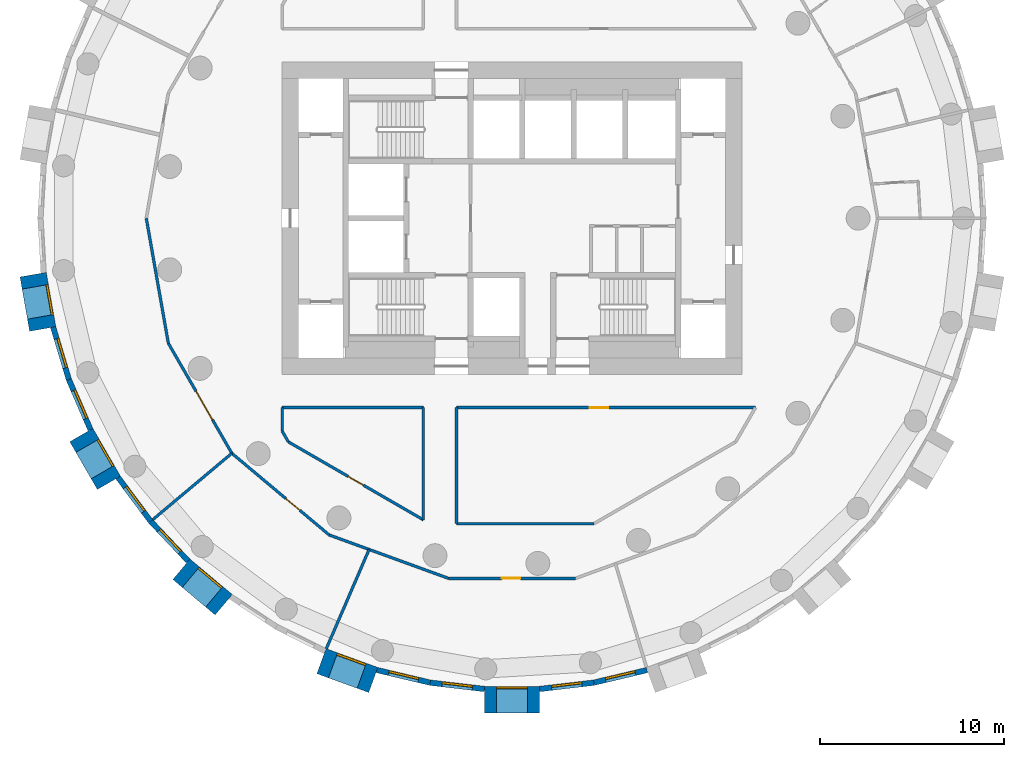
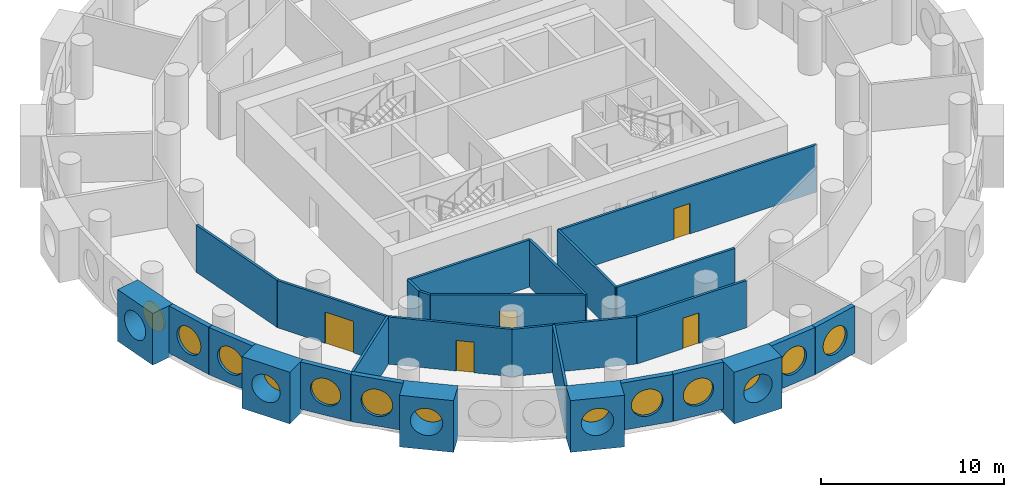
# One storey, part 2 of 9: 28 walls, 13 windows, 5 doors, 18 openings.
"""IFC4 building model written with IfcOpenShell, lengths in metres."""

from ifc_helpers import new_model, si_unit, direction, frame, frame_2d, origin, origin_2d, place, context, subcontext, project, spatial, rectangle, circle, extrude, material, layer, layer_set, type_object, element, fill, save


model = new_model("IFC4")

# Units and contexts
model_context = context("Model", 3, precision=1e-05, world=origin(), true_north=direction((0.0, 1.0)))
body_context = subcontext(model_context, "Body", "Model", "MODEL_VIEW")
ifc_project = project(units=[si_unit("LENGTHUNIT", "METRE"), si_unit("AREAUNIT", "SQUARE_METRE"), si_unit("VOLUMEUNIT", "CUBIC_METRE"), si_unit("PLANEANGLEUNIT", "RADIAN"), si_unit("MASSUNIT", "GRAM", prefix="KILO")], contexts=[model_context])

# Site, building, storey
site_placement = place(None, origin())
site = spatial("IfcSite", under=ifc_project, at=site_placement, CompositionType="ELEMENT")
building_placement = place(site_placement, origin())
building = spatial("IfcBuilding", under=site, at=building_placement, Name="Tracery Tower", CompositionType="ELEMENT")
storey_placement = place(building_placement, frame((0.0, 0.0, 216.0)))
storey = spatial("IfcBuildingStorey", under=building, at=storey_placement, Name="L56", CompositionType="ELEMENT", Elevation=216.0)

# Wall, opening, window
ifc_material_1 = material(Name="Precast concrete C50/60", Category="concrete")
ifc_layer_1 = layer(ifc_material_1, 1.449951171875)
ifc_layer_set_1 = layer_set([ifc_layer_1], Name="Deep-set bay unit 3000 x 3450, slab edge 300")
wall_type_1 = type_object("IfcWallType", Name="Deep-set bay unit 3000 x 3450, slab edge 300", PredefinedType="ELEMENTEDWALL", material=ifc_layer_set_1)
wall_1_placement = place(storey_placement, frame((-26.041748046875, -3.06884765625, -0.300048828125), z_axis=(0.0, 0.0, 1.0), x_axis=(0.173669267716, -0.984804034035, 0.0)))
wall_1 = element("IfcWall", 1, at=wall_1_placement, inside=storey, type_object=wall_type_1, Name="Deep-set bay unit 29 at L56", PredefinedType="ELEMENTEDWALL", context=body_context, shape_type="SweptSolid", body=[
    extrude(rectangle(XDim=3.0, YDim=1.449951171875, at=frame_2d((1.5, 0.0))), origin(), (0.0, 0.0, 1.0), 3.449951171875),
])
opening_1_placement = place(wall_1_placement, frame((1.5, 0.0, 1.85009765625)))
opening_1 = element("IfcOpeningElement", 2, at=opening_1_placement, cuts=wall_1, Name="Opening WN1", PredefinedType="OPENING", context=body_context, shape_type="SweptSolid", body=[
    extrude(circle(Radius=0.9000244140625, at=origin_2d()), frame((0.0, 0.73486328125, 0.0), z_axis=(0.0, -1.0, 0.0), x_axis=(1.0, 0.0, 0.0)), (0.0, 0.0, 1.0), 1.469970703125),
])
ifc_material_2 = material(Name="Aluminium frame with tinted double glazing", Category="aluminium")
window_type = type_object("IfcWindowType", Name="Round window 1800", PartitioningType="SINGLE_PANEL", PredefinedType="WINDOW", material=ifc_material_2)
window_1_placement = place(opening_1_placement, origin())
window_1 = element("IfcWindow", 3, at=window_1_placement, inside=storey, type_object=window_type, Name="Round window 29 at L56", OverallHeight=1.800048828125, OverallWidth=1.800048828125, PartitioningType="SINGLE_PANEL", PredefinedType="WINDOW", context=body_context, shape_type="SweptSolid", body=[
    extrude(circle(Radius=0.9000244140625, at=origin_2d()), frame((0.0, 0.69482421875, 0.0), z_axis=(0.0, -1.0, 0.0), x_axis=(1.0, 0.0, 0.0)), (0.0, 0.0, 1.0), 0.10009765625),
])
fill(opening_1, window_1)

wall_2_placement = place(storey_placement, frame((-23.421630859375, -11.79052734375, -0.300048828125), z_axis=(0.0, 0.0, 1.0), x_axis=(0.499990139034, -0.866031096941, 0.0)))
wall_2 = element("IfcWall", 4, at=wall_2_placement, inside=storey, type_object=wall_type_1, Name="Deep-set bay unit 32 at L56", PredefinedType="ELEMENTEDWALL", context=body_context, shape_type="SweptSolid", body=[
    extrude(rectangle(XDim=3.0, YDim=1.449951171875, at=frame_2d((1.5, 0.0))), origin(), (0.0, 0.0, 1.0), 3.449951171875),
])
opening_2_placement = place(wall_2_placement, frame((1.5, 0.0, 1.85009765625)))
opening_2 = element("IfcOpeningElement", 5, at=opening_2_placement, cuts=wall_2, Name="Opening WN1", PredefinedType="OPENING", context=body_context, shape_type="SweptSolid", body=[
    extrude(circle(Radius=0.9000244140625, at=origin_2d()), frame((0.0, 0.73486328125, 0.0), z_axis=(0.0, -1.0, 0.0), x_axis=(1.0, 0.0, 0.0)), (0.0, 0.0, 1.0), 1.469970703125),
])
window_2_placement = place(opening_2_placement, origin())
window_2 = element("IfcWindow", 6, at=window_2_placement, inside=storey, type_object=window_type, Name="Round window 32 at L56", OverallHeight=1.800048828125, OverallWidth=1.800048828125, PartitioningType="SINGLE_PANEL", PredefinedType="WINDOW", context=body_context, shape_type="SweptSolid", body=[
    extrude(circle(Radius=0.9000244140625, at=origin_2d()), frame((0.0, 0.69482421875, 0.0), z_axis=(0.0, -1.0, 0.0), x_axis=(1.0, 0.0, 0.0)), (0.0, 0.0, 1.0), 0.10009765625),
])
fill(opening_2, window_2)

wall_3_placement = place(storey_placement, frame((-17.9765625, -19.090087890625, -0.300048828125), z_axis=(0.0, 0.0, 1.0), x_axis=(0.766022196139, -0.642814121673, 0.0)))
wall_3 = element("IfcWall", 7, at=wall_3_placement, inside=storey, type_object=wall_type_1, Name="Deep-set bay unit 35 at L56", PredefinedType="ELEMENTEDWALL", context=body_context, shape_type="SweptSolid", body=[
    extrude(rectangle(XDim=3.0, YDim=1.449951171875, at=frame_2d((1.5, 0.0))), origin(), (0.0, 0.0, 1.0), 3.449951171875),
])
opening_3_placement = place(wall_3_placement, frame((1.5, 0.0, 1.85009765625)))
opening_3 = element("IfcOpeningElement", 8, at=opening_3_placement, cuts=wall_3, Name="Opening WN1", PredefinedType="OPENING", context=body_context, shape_type="SweptSolid", body=[
    extrude(circle(Radius=0.9000244140625, at=origin_2d()), frame((0.0, 0.73486328125, 0.0), z_axis=(0.0, -1.0, 0.0), x_axis=(1.0, 0.0, 0.0)), (0.0, 0.0, 1.0), 1.469970703125),
])
window_3_placement = place(opening_3_placement, origin())
window_3 = element("IfcWindow", 9, at=window_3_placement, inside=storey, type_object=window_type, Name="Round window 35 at L56", OverallHeight=1.800048828125, OverallWidth=1.800048828125, PartitioningType="SINGLE_PANEL", PredefinedType="WINDOW", context=body_context, shape_type="SweptSolid", body=[
    extrude(circle(Radius=0.9000244140625, at=origin_2d()), frame((0.0, 0.69482421875, 0.0), z_axis=(0.0, -1.0, 0.0), x_axis=(1.0, 0.0, 0.0)), (0.0, 0.0, 1.0), 0.10009765625),
])
fill(opening_3, window_3)

wall_4_placement = place(storey_placement, frame((-10.36328125, -24.087158203125, -0.300048828125), z_axis=(0.0, 0.0, 1.0), x_axis=(0.939686455819, -0.342037080957, 0.0)))
wall_4 = element("IfcWall", 10, at=wall_4_placement, inside=storey, type_object=wall_type_1, Name="Deep-set bay unit 38 at L56", PredefinedType="ELEMENTEDWALL", context=body_context, shape_type="SweptSolid", body=[
    extrude(rectangle(XDim=3.0, YDim=1.449951171875, at=frame_2d((1.5, 0.0))), origin(), (0.0, 0.0, 1.0), 3.449951171875),
])
opening_4_placement = place(wall_4_placement, frame((1.5, 0.0, 1.85009765625)))
opening_4 = element("IfcOpeningElement", 11, at=opening_4_placement, cuts=wall_4, Name="Opening WN1", PredefinedType="OPENING", context=body_context, shape_type="SweptSolid", body=[
    extrude(circle(Radius=0.9000244140625, at=origin_2d()), frame((0.0, 0.73486328125, 0.0), z_axis=(0.0, -1.0, 0.0), x_axis=(1.0, 0.0, 0.0)), (0.0, 0.0, 1.0), 1.469970703125),
])
window_4_placement = place(opening_4_placement, origin())
window_4 = element("IfcWindow", 12, at=window_4_placement, inside=storey, type_object=window_type, Name="Round window 38 at L56", OverallHeight=1.800048828125, OverallWidth=1.800048828125, PartitioningType="SINGLE_PANEL", PredefinedType="WINDOW", context=body_context, shape_type="SweptSolid", body=[
    extrude(circle(Radius=0.9000244140625, at=origin_2d()), frame((0.0, 0.69482421875, 0.0), z_axis=(0.0, -1.0, 0.0), x_axis=(1.0, 0.0, 0.0)), (0.0, 0.0, 1.0), 0.10009765625),
])
fill(opening_4, window_4)

wall_5_placement = place(storey_placement, frame((-1.5, -26.178955078125, -0.300048828125), z_axis=(0.0, 0.0, 1.0), x_axis=(1.0, 0.0, 0.0)))
wall_5 = element("IfcWall", 13, at=wall_5_placement, inside=storey, type_object=wall_type_1, Name="Deep-set bay unit 41 at L56", PredefinedType="ELEMENTEDWALL", context=body_context, shape_type="SweptSolid", body=[
    extrude(rectangle(XDim=3.0, YDim=1.449951171875, at=frame_2d((1.5, 0.0))), origin(), (0.0, 0.0, 1.0), 3.449951171875),
])
opening_5_placement = place(wall_5_placement, frame((1.5, 0.0, 1.85009765625)))
opening_5 = element("IfcOpeningElement", 14, at=opening_5_placement, cuts=wall_5, Name="Opening WN1", PredefinedType="OPENING", context=body_context, shape_type="SweptSolid", body=[
    extrude(circle(Radius=0.9000244140625, at=origin_2d()), frame((0.0, 0.73486328125, 0.0), z_axis=(0.0, -1.0, 0.0), x_axis=(1.0, 0.0, 0.0)), (0.0, 0.0, 1.0), 1.469970703125),
])
window_5_placement = place(opening_5_placement, origin())
window_5 = element("IfcWindow", 15, at=window_5_placement, inside=storey, type_object=window_type, Name="Round window 41 at L56", OverallHeight=1.800048828125, OverallWidth=1.800048828125, PartitioningType="SINGLE_PANEL", PredefinedType="WINDOW", context=body_context, shape_type="SweptSolid", body=[
    extrude(circle(Radius=0.9000244140625, at=origin_2d()), frame((0.0, 0.69482421875, 0.0), z_axis=(0.0, -1.0, 0.0), x_axis=(1.0, 0.0, 0.0)), (0.0, 0.0, 1.0), 0.10009765625),
])
fill(opening_5, window_5)

ifc_material_3 = material(Name="Precast concrete C50/60", Category="concrete")
ifc_layer_2 = layer(ifc_material_3, 0.300048828125)
ifc_layer_set_2 = layer_set([ifc_layer_2], Name="Facade panel 3000 x 3150")
wall_type_2 = type_object("IfcWallType", Name="Facade panel 3000 x 3150", PredefinedType="SOLIDWALL", material=ifc_layer_set_2)
wall_6_placement = place(storey_placement, frame((-24.953369140625, -5.924072265625, 0.0), z_axis=(0.0, 0.0, 1.0), x_axis=(0.286782750849, -0.957995643944, 0.0)))
wall_6 = element("IfcWall", 16, at=wall_6_placement, inside=storey, type_object=wall_type_2, Name="Facade panel 30 at L56", PredefinedType="SOLIDWALL", context=body_context, shape_type="SweptSolid", body=[
    extrude(rectangle(XDim=2.97265625, YDim=0.300048828125, at=frame_2d((1.486328125, 0.0))), origin(), (0.0, 0.0, 1.0), 3.14990234375),
])
opening_6_placement = place(wall_6_placement, frame((1.486328125, 0.0, 1.5498046875)))
opening_6 = element("IfcOpeningElement", 17, at=opening_6_placement, cuts=wall_6, Name="Opening WN1", PredefinedType="OPENING", context=body_context, shape_type="SweptSolid", body=[
    extrude(circle(Radius=0.9000244140625, at=origin_2d()), frame((0.0, 0.159912109375, 0.0), z_axis=(0.0, -1.0, 0.0), x_axis=(1.0, 0.0, 0.0)), (0.0, 0.0, 1.0), 0.320068359375),
])
window_6_placement = place(opening_6_placement, origin())
window_6 = element("IfcWindow", 18, at=window_6_placement, inside=storey, type_object=window_type, Name="Round window 30 at L56", OverallHeight=1.800048828125, OverallWidth=1.800048828125, PartitioningType="SINGLE_PANEL", PredefinedType="WINDOW", context=body_context, shape_type="SweptSolid", body=[
    extrude(circle(Radius=0.9000244140625, at=origin_2d()), frame((0.0, 0.1201171875, 0.0), z_axis=(0.0, -1.0, 0.0), x_axis=(1.0, 0.0, 0.0)), (0.0, 0.0, 1.0), 0.10009765625),
])
fill(opening_6, window_6)

wall_7_placement = place(storey_placement, frame((-24.100830078125, -8.77197265625, 0.0), z_axis=(0.0, 0.0, 1.0), x_axis=(0.396148129016, -0.918186614952, 0.0)))
wall_7 = element("IfcWall", 19, at=wall_7_placement, inside=storey, type_object=wall_type_2, Name="Facade panel 31 at L56", PredefinedType="SOLIDWALL", context=body_context, shape_type="SweptSolid", body=[
    extrude(rectangle(XDim=2.972900390625, YDim=0.300048828125, at=frame_2d((1.486328125, 0.0))), origin(), (0.0, 0.0, 1.0), 3.14990234375),
])
opening_7_placement = place(wall_7_placement, frame((1.486328125, 0.0, 1.5498046875)))
opening_7 = element("IfcOpeningElement", 20, at=opening_7_placement, cuts=wall_7, Name="Opening WN1", PredefinedType="OPENING", context=body_context, shape_type="SweptSolid", body=[
    extrude(circle(Radius=0.9000244140625, at=origin_2d()), frame((0.0, 0.159912109375, 0.0), z_axis=(0.0, -1.0, 0.0), x_axis=(1.0, 0.0, 0.0)), (0.0, 0.0, 1.0), 0.320068359375),
])
window_7_placement = place(opening_7_placement, origin())
window_7 = element("IfcWindow", 21, at=window_7_placement, inside=storey, type_object=window_type, Name="Round window 31 at L56", OverallHeight=1.800048828125, OverallWidth=1.800048828125, PartitioningType="SINGLE_PANEL", PredefinedType="WINDOW", context=body_context, shape_type="SweptSolid", body=[
    extrude(circle(Radius=0.9000244140625, at=origin_2d()), frame((0.0, 0.1201171875, 0.0), z_axis=(0.0, -1.0, 0.0), x_axis=(1.0, 0.0, 0.0)), (0.0, 0.0, 1.0), 0.10009765625),
])
fill(opening_7, window_7)

wall_8_placement = place(storey_placement, frame((-21.42236328125, -14.101318359375, 0.0), z_axis=(0.0, 0.0, 1.0), x_axis=(0.597197580538, -0.80209416517, 0.0)))
wall_8 = element("IfcWall", 22, at=wall_8_placement, inside=storey, type_object=wall_type_2, Name="Facade panel 33 at L56", PredefinedType="SOLIDWALL", context=body_context, shape_type="SweptSolid", body=[
    extrude(rectangle(XDim=2.972900390625, YDim=0.300048828125, at=frame_2d((1.486328125, 0.0))), origin(), (0.0, 0.0, 1.0), 3.14990234375),
])
opening_8_placement = place(wall_8_placement, frame((1.486328125, 0.0, 1.5498046875)))
opening_8 = element("IfcOpeningElement", 23, at=opening_8_placement, cuts=wall_8, Name="Opening WN1", PredefinedType="OPENING", context=body_context, shape_type="SweptSolid", body=[
    extrude(circle(Radius=0.9000244140625, at=origin_2d()), frame((0.0, 0.159912109375, 0.0), z_axis=(0.0, -1.0, 0.0), x_axis=(1.0, 0.0, 0.0)), (0.0, 0.0, 1.0), 0.320068359375),
])
window_8_placement = place(opening_8_placement, origin())
window_8 = element("IfcWindow", 24, at=window_8_placement, inside=storey, type_object=window_type, Name="Round window 33 at L56", OverallHeight=1.800048828125, OverallWidth=1.800048828125, PartitioningType="SINGLE_PANEL", PredefinedType="WINDOW", context=body_context, shape_type="SweptSolid", body=[
    extrude(circle(Radius=0.9000244140625, at=origin_2d()), frame((0.0, 0.1201171875, 0.0), z_axis=(0.0, -1.0, 0.0), x_axis=(1.0, 0.0, 0.0)), (0.0, 0.0, 1.0), 0.10009765625),
])
fill(opening_8, window_8)

wall_9_placement = place(storey_placement, frame((-19.64697265625, -16.48583984375, 0.0), z_axis=(0.0, 0.0, 1.0), x_axis=(0.686235184166, -0.727379730273, 0.0)))
wall_9 = element("IfcWall", 25, at=wall_9_placement, inside=storey, type_object=wall_type_2, Name="Facade panel 34 at L56", PredefinedType="SOLIDWALL", context=body_context, shape_type="SweptSolid", body=[
    extrude(rectangle(XDim=2.972900390625, YDim=0.300048828125, at=frame_2d((1.486328125, 0.0))), origin(), (0.0, 0.0, 1.0), 3.14990234375),
])
opening_9_placement = place(wall_9_placement, frame((1.486328125, 0.0, 1.5498046875)))
opening_9 = element("IfcOpeningElement", 26, at=opening_9_placement, cuts=wall_9, Name="Opening WN1", PredefinedType="OPENING", context=body_context, shape_type="SweptSolid", body=[
    extrude(circle(Radius=0.9000244140625, at=origin_2d()), frame((0.0, 0.159912109375, 0.0), z_axis=(0.0, -1.0, 0.0), x_axis=(1.0, 0.0, 0.0)), (0.0, 0.0, 1.0), 0.320068359375),
])
window_9_placement = place(opening_9_placement, origin())
window_9 = element("IfcWindow", 27, at=window_9_placement, inside=storey, type_object=window_type, Name="Round window 34 at L56", OverallHeight=1.800048828125, OverallWidth=1.800048828125, PartitioningType="SINGLE_PANEL", PredefinedType="WINDOW", context=body_context, shape_type="SweptSolid", body=[
    extrude(circle(Radius=0.9000244140625, at=origin_2d()), frame((0.0, 0.1201171875, 0.0), z_axis=(0.0, -1.0, 0.0), x_axis=(1.0, 0.0, 0.0)), (0.0, 0.0, 1.0), 0.10009765625),
])
fill(opening_9, window_9)

wall_10_placement = place(storey_placement, frame((-7.346435546875, -24.572265625, 0.0), z_axis=(0.0, 0.0, 1.0), x_axis=(0.973049746156, -0.230595298102, 0.0)))
wall_10 = element("IfcWall", 28, at=wall_10_placement, inside=storey, type_object=wall_type_2, Name="Facade panel 39 at L56", PredefinedType="SOLIDWALL", context=body_context, shape_type="SweptSolid", body=[
    extrude(rectangle(XDim=2.972900390625, YDim=0.300048828125, at=frame_2d((1.486328125, 0.0))), origin(), (0.0, 0.0, 1.0), 3.14990234375),
])
opening_10_placement = place(wall_10_placement, frame((1.486328125, 0.0, 1.5498046875)))
opening_10 = element("IfcOpeningElement", 29, at=opening_10_placement, cuts=wall_10, Name="Opening WN1", PredefinedType="OPENING", context=body_context, shape_type="SweptSolid", body=[
    extrude(circle(Radius=0.9000244140625, at=origin_2d()), frame((0.0, 0.159912109375, 0.0), z_axis=(0.0, -1.0, 0.0), x_axis=(1.0, 0.0, 0.0)), (0.0, 0.0, 1.0), 0.320068359375),
])
window_10_placement = place(opening_10_placement, origin())
window_10 = element("IfcWindow", 30, at=window_10_placement, inside=storey, type_object=window_type, Name="Round window 39 at L56", OverallHeight=1.800048828125, OverallWidth=1.800048828125, PartitioningType="SINGLE_PANEL", PredefinedType="WINDOW", context=body_context, shape_type="SweptSolid", body=[
    extrude(circle(Radius=0.9000244140625, at=origin_2d()), frame((0.0, 0.1201171875, 0.0), z_axis=(0.0, -1.0, 0.0), x_axis=(1.0, 0.0, 0.0)), (0.0, 0.0, 1.0), 0.10009765625),
])
fill(opening_10, window_10)

wall_11_placement = place(storey_placement, frame((-4.45361328125, -25.2578125, 0.0), z_axis=(0.0, 0.0, 1.0), x_axis=(0.993235542767, -0.116116995244, 0.0)))
wall_11 = element("IfcWall", 31, at=wall_11_placement, inside=storey, type_object=wall_type_2, Name="Facade panel 40 at L56", PredefinedType="SOLIDWALL", context=body_context, shape_type="SweptSolid", body=[
    extrude(rectangle(XDim=2.972900390625, YDim=0.300048828125, at=frame_2d((1.486328125, 0.0))), origin(), (0.0, 0.0, 1.0), 3.14990234375),
])
opening_11_placement = place(wall_11_placement, frame((1.486328125, 0.0, 1.5498046875)))
opening_11 = element("IfcOpeningElement", 32, at=opening_11_placement, cuts=wall_11, Name="Opening WN1", PredefinedType="OPENING", context=body_context, shape_type="SweptSolid", body=[
    extrude(circle(Radius=0.9000244140625, at=origin_2d()), frame((0.0, 0.159912109375, 0.0), z_axis=(0.0, -1.0, 0.0), x_axis=(1.0, 0.0, 0.0)), (0.0, 0.0, 1.0), 0.320068359375),
])
window_11_placement = place(opening_11_placement, origin())
window_11 = element("IfcWindow", 33, at=window_11_placement, inside=storey, type_object=window_type, Name="Round window 40 at L56", OverallHeight=1.800048828125, OverallWidth=1.800048828125, PartitioningType="SINGLE_PANEL", PredefinedType="WINDOW", context=body_context, shape_type="SweptSolid", body=[
    extrude(circle(Radius=0.9000244140625, at=origin_2d()), frame((0.0, 0.1201171875, 0.0), z_axis=(0.0, -1.0, 0.0), x_axis=(1.0, 0.0, 0.0)), (0.0, 0.0, 1.0), 0.10009765625),
])
fill(opening_11, window_11)

wall_12_placement = place(storey_placement, frame((1.500732421875, -25.60302734375, 0.0), z_axis=(0.0, 0.0, 1.0), x_axis=(0.993235542767, 0.116116995244, 0.0)))
wall_12 = element("IfcWall", 34, at=wall_12_placement, inside=storey, type_object=wall_type_2, Name="Facade panel 42 at L56", PredefinedType="SOLIDWALL", context=body_context, shape_type="SweptSolid", body=[
    extrude(rectangle(XDim=2.972900390625, YDim=0.300048828125, at=frame_2d((1.486328125, 0.0))), origin(), (0.0, 0.0, 1.0), 3.14990234375),
])
opening_12_placement = place(wall_12_placement, frame((1.486328125, 0.0, 1.5498046875)))
opening_12 = element("IfcOpeningElement", 35, at=opening_12_placement, cuts=wall_12, Name="Opening WN1", PredefinedType="OPENING", context=body_context, shape_type="SweptSolid", body=[
    extrude(circle(Radius=0.9000244140625, at=origin_2d()), frame((0.0, 0.159912109375, 0.0), z_axis=(0.0, -1.0, 0.0), x_axis=(1.0, 0.0, 0.0)), (0.0, 0.0, 1.0), 0.320068359375),
])
window_12_placement = place(opening_12_placement, origin())
window_12 = element("IfcWindow", 36, at=window_12_placement, inside=storey, type_object=window_type, Name="Round window 42 at L56", OverallHeight=1.800048828125, OverallWidth=1.800048828125, PartitioningType="SINGLE_PANEL", PredefinedType="WINDOW", context=body_context, shape_type="SweptSolid", body=[
    extrude(circle(Radius=0.9000244140625, at=origin_2d()), frame((0.0, 0.1201171875, 0.0), z_axis=(0.0, -1.0, 0.0), x_axis=(1.0, 0.0, 0.0)), (0.0, 0.0, 1.0), 0.10009765625),
])
fill(opening_12, window_12)

wall_13_placement = place(storey_placement, frame((4.45361328125, -25.2578125, 0.0), z_axis=(0.0, 0.0, 1.0), x_axis=(0.973049746156, 0.230595298102, 0.0)))
wall_13 = element("IfcWall", 37, at=wall_13_placement, inside=storey, type_object=wall_type_2, Name="Facade panel 43 at L56", PredefinedType="SOLIDWALL", context=body_context, shape_type="SweptSolid", body=[
    extrude(rectangle(XDim=2.972900390625, YDim=0.300048828125, at=frame_2d((1.486328125, 0.0))), origin(), (0.0, 0.0, 1.0), 3.14990234375),
])
opening_13_placement = place(wall_13_placement, frame((1.486328125, 0.0, 1.5498046875)))
opening_13 = element("IfcOpeningElement", 38, at=opening_13_placement, cuts=wall_13, Name="Opening WN1", PredefinedType="OPENING", context=body_context, shape_type="SweptSolid", body=[
    extrude(circle(Radius=0.9000244140625, at=origin_2d()), frame((0.0, 0.159912109375, 0.0), z_axis=(0.0, -1.0, 0.0), x_axis=(1.0, 0.0, 0.0)), (0.0, 0.0, 1.0), 0.320068359375),
])
window_13_placement = place(opening_13_placement, origin())
window_13 = element("IfcWindow", 39, at=window_13_placement, inside=storey, type_object=window_type, Name="Round window 43 at L56", OverallHeight=1.800048828125, OverallWidth=1.800048828125, PartitioningType="SINGLE_PANEL", PredefinedType="WINDOW", context=body_context, shape_type="SweptSolid", body=[
    extrude(circle(Radius=0.9000244140625, at=origin_2d()), frame((0.0, 0.1201171875, 0.0), z_axis=(0.0, -1.0, 0.0), x_axis=(1.0, 0.0, 0.0)), (0.0, 0.0, 1.0), 0.10009765625),
])
fill(opening_13, window_13)

# Walls
ifc_material_4 = material(Name="Plasterboard on steel studs", Category="steel")
ifc_layer_3 = layer(ifc_material_4, 0.14990234375)
ifc_layer_set_3 = layer_set([ifc_layer_3], Name="Partition 150 acoustic unit wall")
wall_type_3 = type_object("IfcWallType", Name="Partition 150 acoustic unit wall", PredefinedType="PARTITIONING", material=ifc_layer_set_3)
wall_14_placement = place(storey_placement, frame((-19.531982421875, -16.388916015625, 0.0), z_axis=(0.0, 0.0, 1.0), x_axis=(0.76609059793, 0.642732600514, 0.0)))
element("IfcWall", 40, at=wall_14_placement, inside=storey, type_object=wall_type_3, Name="Unit wall RB9-066", PredefinedType="PARTITIONING", context=body_context, shape_type="SweptSolid", body=[
    extrude(rectangle(XDim=5.60888671875, YDim=0.14990234375, at=frame_2d((2.804443359375, 0.0))), origin(), (0.0, 0.0, 1.0), 3.14990234375),
])
wall_15_placement = place(storey_placement, frame((-10.09912109375, -23.412109375, 0.0), z_axis=(0.0, 0.0, 1.0), x_axis=(0.39601833725, 0.918242602236, 0.0)))
element("IfcWall", 41, at=wall_15_placement, inside=storey, type_object=wall_type_3, Name="Unit wall RB9-067", PredefinedType="PARTITIONING", context=body_context, shape_type="SweptSolid", body=[
    extrude(rectangle(XDim=5.87890625, YDim=0.14990234375, at=frame_2d((2.939453125, 0.0))), origin(), (0.0, 0.0, 1.0), 3.14990234375),
])
ifc_material_5 = material(Name="Plasterboard on steel studs", Category="steel")
ifc_layer_4 = layer(ifc_material_5, 0.14990234375)
ifc_layer_set_4 = layer_set([ifc_layer_4], Name="Partition 150 corridor wall")
wall_type_4 = type_object("IfcWallType", Name="Partition 150 corridor wall", PredefinedType="PARTITIONING", material=ifc_layer_set_4)
wall_16_placement = place(storey_placement, frame((-12.50390625, -10.300048828125, 0.0), z_axis=(0.0, 0.0, 1.0), x_axis=(1.0, 0.0, 0.0)))
element("IfcWall", 42, at=wall_16_placement, inside=storey, type_object=wall_type_4, Name="Corridor wall RB9-003", PredefinedType="PARTITIONING", context=body_context, shape_type="SweptSolid", body=[
    extrude(rectangle(XDim=7.68701171875, YDim=0.14990234375, at=frame_2d((3.843505859375, 0.0))), origin(), (0.0, 0.0, 1.0), 3.14990234375),
])

# Wall, opening, door
wall_17_placement = place(storey_placement, frame((-3.02490234375, -10.300048828125, 0.0), z_axis=(0.0, 0.0, 1.0), x_axis=(1.0, 0.0, 0.0)))
wall_17 = element("IfcWall", 43, at=wall_17_placement, inside=storey, type_object=wall_type_4, Name="Corridor wall RB9-004", PredefinedType="PARTITIONING", context=body_context, shape_type="SweptSolid", body=[
    extrude(rectangle(XDim=16.261962890625, YDim=0.14990234375, at=frame_2d((8.130859375, 0.0))), origin(), (0.0, 0.0, 1.0), 3.14990234375),
])
opening_14_placement = place(wall_17_placement, frame((7.261962890625, 0.0, 0.0)))
opening_14 = element("IfcOpeningElement", 44, at=opening_14_placement, cuts=wall_17, Name="Opening RB9-04", PredefinedType="OPENING", context=body_context, shape_type="SweptSolid", body=[
    extrude(rectangle(XDim=1.0, YDim=2.0400390625, at=frame_2d((0.5, 1.02001953125))), frame((0.0, 0.074951171875, 0.0), z_axis=(0.0, -1.0, 0.0), x_axis=(1.0, 0.0, 0.0)), (0.0, 0.0, 1.0), 0.14990234375),
])
ifc_material_6 = material(Name="Timber door leaf", Category="wood")
door_type_1 = type_object("IfcDoorType", Name="Door communal room 1000", OperationType="NOTDEFINED", PredefinedType="DOOR", material=ifc_material_6)
door_1_placement = place(opening_14_placement, origin())
door_1 = element("IfcDoor", 45, at=door_1_placement, inside=storey, type_object=door_type_1, Name="Communal room door RB9-04", OperationType="SINGLE_SWING_RIGHT", OverallHeight=2.0400390625, OverallWidth=1.0, PredefinedType="DOOR", context=body_context, shape_type="SweptSolid", body=[
    extrude(rectangle(XDim=1.0, YDim=2.0400390625, at=frame_2d((0.5, 1.02001953125))), frame((0.0, 0.02490234375, 0.0), z_axis=(0.0, -1.0, 0.0), x_axis=(1.0, 0.0, 0.0)), (0.0, 0.0, 1.0), 0.050048828125),
])
fill(opening_14, door_1)

# Walls
wall_18_placement = place(storey_placement, frame((-12.5, -11.576904296875, 0.0), z_axis=(0.0, 0.0, 1.0), x_axis=(0.0, 1.0, 0.0)))
element("IfcWall", 46, at=wall_18_placement, inside=storey, type_object=wall_type_4, Name="Corridor wall RB9-024", PredefinedType="PARTITIONING", context=body_context, shape_type="SweptSolid", body=[
    extrude(rectangle(XDim=1.27685546875, YDim=0.14990234375, at=frame_2d((0.638427734375, 0.0))), origin(), (0.0, 0.0, 1.0), 3.14990234375),
])
wall_19_placement = place(storey_placement, frame((-12.5, -11.576904296875, 0.0), z_axis=(0.0, 0.0, 1.0), x_axis=(0.500024767483, -0.866011103799, 0.0)))
element("IfcWall", 47, at=wall_19_placement, inside=storey, type_object=wall_type_4, Name="Corridor wall RB9-025", PredefinedType="PARTITIONING", context=body_context, shape_type="SweptSolid", body=[
    extrude(rectangle(XDim=0.67578125, YDim=0.14990234375, at=frame_2d((0.337890625, 0.0))), origin(), (0.0, 0.0, 1.0), 3.14990234375),
])

# Wall, opening, door
wall_20_placement = place(storey_placement, frame((-18.68798828125, -6.802001953125, 0.0), z_axis=(0.0, 0.0, 1.0), x_axis=(0.499914202267, -0.866074933462, 0.0)))
wall_20 = element("IfcWall", 48, at=wall_20_placement, inside=storey, type_object=wall_type_4, Name="Corridor wall RB9-028", PredefinedType="PARTITIONING", context=body_context, shape_type="SweptSolid", body=[
    extrude(rectangle(XDim=6.906982421875, YDim=0.14990234375, at=frame_2d((3.45361328125, 0.0))), origin(), (0.0, 0.0, 1.0), 3.14990234375),
])
opening_15_placement = place(wall_20_placement, frame((3.003173828125, 0.0, 0.0)))
opening_15 = element("IfcOpeningElement", 49, at=opening_15_placement, cuts=wall_20, Name="Opening RB9-21", PredefinedType="OPENING", context=body_context, shape_type="SweptSolid", body=[
    extrude(rectangle(XDim=1.800048828125, YDim=2.10009765625, at=frame_2d((0.89990234375, 1.050048828125))), frame((0.0, 0.074951171875, 0.0), z_axis=(0.0, -1.0, 0.0), x_axis=(1.0, 0.0, 0.0)), (0.0, 0.0, 1.0), 0.14990234375),
])
ifc_material_7 = material(Name="Timber door leaf", Category="wood")
door_type_2 = type_object("IfcDoorType", Name="Door double lounge 1800", OperationType="NOTDEFINED", PredefinedType="DOOR", material=ifc_material_7)
door_2_placement = place(opening_15_placement, origin())
door_2 = element("IfcDoor", 50, at=door_2_placement, inside=storey, type_object=door_type_2, Name="Double lounge door RB9-21", OperationType="DOUBLE_DOOR_SINGLE_SWING", OverallHeight=2.10009765625, OverallWidth=1.800048828125, PredefinedType="DOOR", context=body_context, shape_type="SweptSolid", body=[
    extrude(rectangle(XDim=1.800048828125, YDim=2.10009765625, at=frame_2d((0.89990234375, 1.050048828125))), frame((0.0, 0.02490234375, 0.0), z_axis=(0.0, -1.0, 0.0), x_axis=(1.0, 0.0, 0.0)), (0.0, 0.0, 1.0), 0.050048828125),
])
fill(opening_15, door_2)

# Wall
wall_21_placement = place(storey_placement, frame((-19.887939453125, 0.0, 0.0), z_axis=(0.0, 0.0, 1.0), x_axis=(0.173728873845, -0.98479352069, 0.0)))
element("IfcWall", 51, at=wall_21_placement, inside=storey, type_object=wall_type_4, Name="Corridor wall RB9-029", PredefinedType="PARTITIONING", context=body_context, shape_type="SweptSolid", body=[
    extrude(rectangle(XDim=6.906982421875, YDim=0.14990234375, at=frame_2d((3.45361328125, 0.0))), origin(), (0.0, 0.0, 1.0), 3.14990234375),
])

# Wall, opening, door
wall_22_placement = place(storey_placement, frame((-15.235107421875, -12.783935546875, 0.0), z_axis=(0.0, 0.0, 1.0), x_axis=(0.766192104565, -0.642611592567, 0.0)))
wall_22 = element("IfcWall", 52, at=wall_22_placement, inside=storey, type_object=wall_type_4, Name="Corridor wall RB9-030", PredefinedType="PARTITIONING", context=body_context, shape_type="SweptSolid", body=[
    extrude(rectangle(XDim=6.906494140625, YDim=0.14990234375, at=frame_2d((3.453125, 0.0))), origin(), (0.0, 0.0, 1.0), 3.14990234375),
])
opening_16_placement = place(wall_22_placement, frame((3.823486328125, 0.0, 0.0)))
opening_16 = element("IfcOpeningElement", 53, at=opening_16_placement, cuts=wall_22, Name="Opening RB9-22", PredefinedType="OPENING", context=body_context, shape_type="SweptSolid", body=[
    extrude(rectangle(XDim=1.0, YDim=2.0400390625, at=frame_2d((0.5, 1.02001953125))), frame((0.0, 0.074951171875, 0.0), z_axis=(0.0, -1.0, 0.0), x_axis=(1.0, 0.0, 0.0)), (0.0, 0.0, 1.0), 0.14990234375),
])
door_3_placement = place(opening_16_placement, origin())
door_3 = element("IfcDoor", 54, at=door_3_placement, inside=storey, type_object=door_type_1, Name="Communal room door RB9-22", OperationType="SINGLE_SWING_LEFT", OverallHeight=2.0400390625, OverallWidth=1.0, PredefinedType="DOOR", context=body_context, shape_type="SweptSolid", body=[
    extrude(rectangle(XDim=1.0, YDim=2.0400390625, at=frame_2d((0.5, 1.02001953125))), frame((0.0, 0.02490234375, 0.0), z_axis=(0.0, -1.0, 0.0), x_axis=(1.0, 0.0, 0.0)), (0.0, 0.0, 1.0), 0.050048828125),
])
fill(opening_16, door_3)

wall_23_placement = place(storey_placement, frame((-12.162109375, -12.162109375, 0.0), z_axis=(0.0, 0.0, 1.0), x_axis=(0.866004766557, -0.500035743023, 0.0)))
wall_23 = element("IfcWall", 55, at=wall_23_placement, inside=storey, type_object=wall_type_4, Name="Corridor wall RB9-031", PredefinedType="PARTITIONING", context=body_context, shape_type="SweptSolid", body=[
    extrude(rectangle(XDim=8.47705078125, YDim=0.14990234375, at=frame_2d((4.238525390625, 0.0))), origin(), (0.0, 0.0, 1.0), 3.14990234375),
])
opening_17_placement = place(wall_23_placement, frame((3.762939453125, 0.0, 0.0)))
opening_17 = element("IfcOpeningElement", 56, at=opening_17_placement, cuts=wall_23, Name="Opening RB9-03", PredefinedType="OPENING", context=body_context, shape_type="SweptSolid", body=[
    extrude(rectangle(XDim=0.949951171875, YDim=2.10009765625, at=frame_2d((0.47509765625, 1.050048828125))), frame((0.0, 0.074951171875, 0.0), z_axis=(0.0, -1.0, 0.0), x_axis=(1.0, 0.0, 0.0)), (0.0, 0.0, 1.0), 0.14990234375),
])
ifc_material_8 = material(Name="Timber door leaf", Category="wood")
door_type_3 = type_object("IfcDoorType", Name="Door store 950", OperationType="NOTDEFINED", PredefinedType="DOOR", material=ifc_material_8)
door_4_placement = place(opening_17_placement, origin())
door_4 = element("IfcDoor", 57, at=door_4_placement, inside=storey, type_object=door_type_3, Name="Store door RB9-03", OperationType="SINGLE_SWING_LEFT", OverallHeight=2.10009765625, OverallWidth=0.949951171875, PredefinedType="DOOR", context=body_context, shape_type="SweptSolid", body=[
    extrude(rectangle(XDim=0.949951171875, YDim=2.10009765625, at=frame_2d((0.47509765625, 1.050048828125))), frame((0.0, 0.02490234375, 0.0), z_axis=(0.0, -1.0, 0.0), x_axis=(1.0, 0.0, 0.0)), (0.0, 0.0, 1.0), 0.050048828125),
])
fill(opening_17, door_4)

# Walls
wall_24_placement = place(storey_placement, frame((-4.821044921875, -16.40087890625, 0.0), z_axis=(0.0, 0.0, 1.0), x_axis=(0.0, 1.0, 0.0)))
element("IfcWall", 58, at=wall_24_placement, inside=storey, type_object=wall_type_4, Name="Corridor wall RB9-032", PredefinedType="PARTITIONING", context=body_context, shape_type="SweptSolid", body=[
    extrude(rectangle(XDim=6.100830078125, YDim=0.14990234375, at=frame_2d((3.05029296875, 0.0))), origin(), (0.0, 0.0, 1.0), 3.14990234375),
])
wall_25_placement = place(storey_placement, frame((-3.02099609375, -16.614013671875, 0.0), z_axis=(0.0, 0.0, 1.0), x_axis=(0.0, 1.0, 0.0)))
element("IfcWall", 59, at=wall_25_placement, inside=storey, type_object=wall_type_4, Name="Corridor wall RB9-033", PredefinedType="PARTITIONING", context=body_context, shape_type="SweptSolid", body=[
    extrude(rectangle(XDim=6.31396484375, YDim=0.14990234375, at=frame_2d((3.156982421875, 0.0))), origin(), (0.0, 0.0, 1.0), 3.14990234375),
])
wall_26_placement = place(storey_placement, frame((-3.02099609375, -16.614013671875, 0.0), z_axis=(0.0, 0.0, 1.0), x_axis=(1.0, 0.0, 0.0)))
element("IfcWall", 60, at=wall_26_placement, inside=storey, type_object=wall_type_4, Name="Corridor wall RB9-034", PredefinedType="PARTITIONING", context=body_context, shape_type="SweptSolid", body=[
    extrude(rectangle(XDim=7.472900390625, YDim=0.14990234375, at=frame_2d((3.736328125, 0.0))), origin(), (0.0, 0.0, 1.0), 3.14990234375),
])
wall_27_placement = place(storey_placement, frame((-9.944091796875, -17.222900390625, 0.0), z_axis=(0.0, 0.0, 1.0), x_axis=(0.939737689664, -0.341896292208, 0.0)))
element("IfcWall", 61, at=wall_27_placement, inside=storey, type_object=wall_type_4, Name="Corridor wall RB9-036", PredefinedType="PARTITIONING", context=body_context, shape_type="SweptSolid", body=[
    extrude(rectangle(XDim=6.907958984375, YDim=0.14990234375, at=frame_2d((3.4541015625, 0.0))), origin(), (0.0, 0.0, 1.0), 3.14990234375),
])

# Wall, opening, door
wall_28_placement = place(storey_placement, frame((-3.452880859375, -19.5859375, 0.0), z_axis=(0.0, 0.0, 1.0), x_axis=(1.0, 0.0, 0.0)))
wall_28 = element("IfcWall", 62, at=wall_28_placement, inside=storey, type_object=wall_type_4, Name="Corridor wall RB9-038", PredefinedType="PARTITIONING", context=body_context, shape_type="SweptSolid", body=[
    extrude(rectangle(XDim=6.90576171875, YDim=0.14990234375, at=frame_2d((3.452880859375, 0.0))), origin(), (0.0, 0.0, 1.0), 3.14990234375),
])
opening_18_placement = place(wall_28_placement, frame((2.903076171875, 0.0, 0.0)))
opening_18 = element("IfcOpeningElement", 63, at=opening_18_placement, cuts=wall_28, Name="Opening RB9-23", PredefinedType="OPENING", context=body_context, shape_type="SweptSolid", body=[
    extrude(rectangle(XDim=1.0, YDim=2.0400390625, at=frame_2d((0.5, 1.02001953125))), frame((0.0, 0.074951171875, 0.0), z_axis=(0.0, -1.0, 0.0), x_axis=(1.0, 0.0, 0.0)), (0.0, 0.0, 1.0), 0.14990234375),
])
door_5_placement = place(opening_18_placement, origin())
door_5 = element("IfcDoor", 64, at=door_5_placement, inside=storey, type_object=door_type_1, Name="Communal room door RB9-23", OperationType="SINGLE_SWING_RIGHT", OverallHeight=2.0400390625, OverallWidth=1.0, PredefinedType="DOOR", context=body_context, shape_type="SweptSolid", body=[
    extrude(rectangle(XDim=1.0, YDim=2.0400390625, at=frame_2d((0.5, 1.02001953125))), frame((0.0, 0.02490234375, 0.0), z_axis=(0.0, -1.0, 0.0), x_axis=(1.0, 0.0, 0.0)), (0.0, 0.0, 1.0), 0.050048828125),
])
fill(opening_18, door_5)

save(model, "model.ifc")
